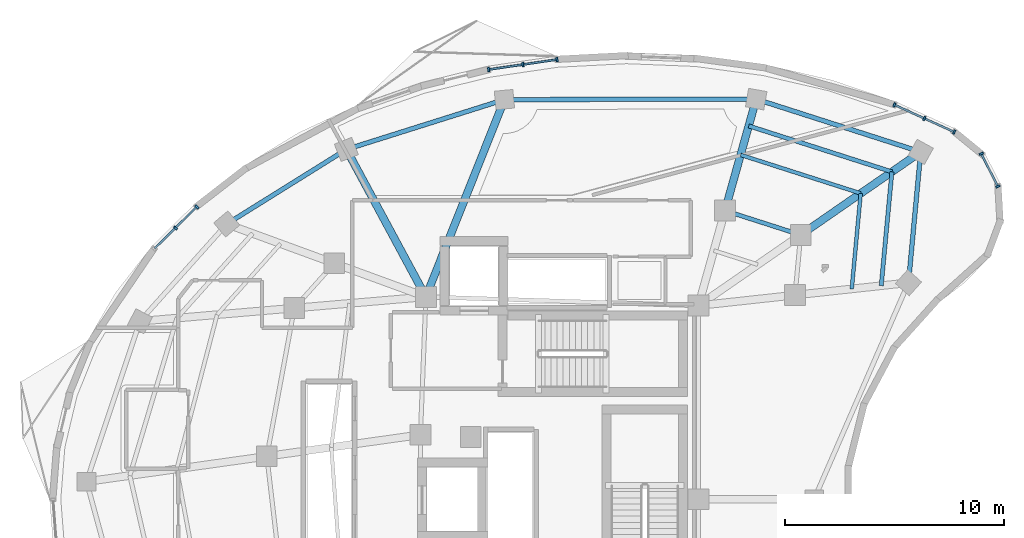
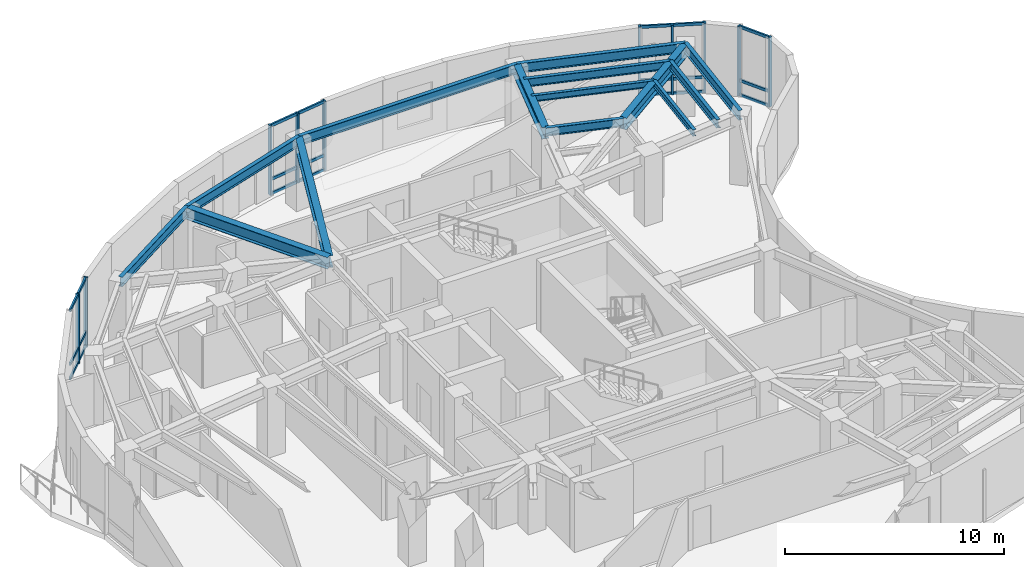
# One storey, part 5 of 13: 31 members, 14 beams, 4 elements without a shape of their own.
"""IFC4 building model written with IfcOpenShell, lengths in metres."""

import ifcopenshell
import ifcopenshell.guid

model = None  # the IFC model being written
_history = None  # IfcOwnerHistory: only IFC2X3 demands one
_inside = {}  # id of a spatial element -> (the spatial element, [elements in it])
_under = {}  # id of a project, library or spatial element -> (it, [spatial elements below it])
_declared = {}  # id of a project -> (the project, [libraries it declares])
_typed = {}  # id of a type object -> (the type object, [elements of that type])
_made_of = {}  # id of a material, layer set ... -> (it, [elements and type objects made of it])


def new_model(schema):
    """Start an empty IFC model of exactly this schema.

    Asked for "IFC4X3", IfcOpenShell would pick the latest addendum, in which some entities
    have other attributes; the version numbers below select the first issue.
    IFC2X3 requires an IfcOwnerHistory on every rooted entity: one is made here for all.
    """
    global model, _history
    if schema == "IFC4X3":
        model = ifcopenshell.file(schema_version=(4, 3, 0, 0))
    else:
        model = ifcopenshell.file(schema=schema)
    _inside.clear()
    _under.clear()
    _declared.clear()
    _typed.clear()
    _made_of.clear()
    _history = None
    if model.schema == "IFC2X3":
        org = make("IfcOrganization", Name="unknown")
        user = make(
            "IfcPersonAndOrganization",
            ThePerson=make("IfcPerson", FamilyName="unknown"),
            TheOrganization=org,
        )
        app = make(
            "IfcApplication",
            ApplicationDeveloper=org,
            Version="unknown",
            ApplicationFullName="unknown",
            ApplicationIdentifier="unknown",
        )
        _history = make(
            "IfcOwnerHistory",
            OwningUser=user,
            OwningApplication=app,
            ChangeAction="ADDED",
            CreationDate=0,
        )
    return model


def make(cls, **values):
    """One entity of the class cls with the attributes given. An attribute that is None is left unset."""
    return model.create_entity(
        cls, **{name: value for name, value in values.items() if value is not None}
    )


def rooted(cls, **values):
    """An entity with a GlobalId (a new one), such as an element, a storey or a relation."""
    return make(cls, GlobalId=ifcopenshell.guid.new(), OwnerHistory=_history, **values)


def si_unit(unit_type, name, prefix=None):
    """IfcSIUnit, for example si_unit("LENGTHUNIT", "METRE", prefix="MILLI")."""
    return make("IfcSIUnit", UnitType=unit_type, Prefix=prefix, Name=name)


def assignment(units):
    """IfcUnitAssignment: the units of a project."""
    return None if units is None else make("IfcUnitAssignment", Units=units)


def point(xyz):
    """IfcCartesianPoint."""
    return None if xyz is None else make("IfcCartesianPoint", Coordinates=xyz)


def direction(xyz):
    """IfcDirection."""
    return None if xyz is None else make("IfcDirection", DirectionRatios=xyz)


def frame(location, z_axis=None, x_axis=None):
    """IfcAxis2Placement3D, a coordinate frame: its origin and axes. An axis left out is left unset."""
    return make(
        "IfcAxis2Placement3D",
        Location=point(location),
        Axis=direction(z_axis),
        RefDirection=direction(x_axis),
    )


def frame_2d(location, x_axis=None):
    """IfcAxis2Placement2D, a coordinate frame in the plane: its origin and x axis."""
    return make(
        "IfcAxis2Placement2D", Location=point(location), RefDirection=direction(x_axis)
    )


def origin():
    """The frame at (0, 0, 0) with its axes left unset."""
    return frame((0.0, 0.0, 0.0))


def origin_2d():
    """The frame at (0, 0) in the plane with its x axis left unset."""
    return frame_2d((0.0, 0.0))


def place(relative_to, where):
    """IfcLocalPlacement: puts the frame where relative to a parent placement (None: the world)."""
    return make(
        "IfcLocalPlacement", PlacementRelTo=relative_to, RelativePlacement=where
    )


def context(
    kind, dimensions, precision=None, world=None, true_north=None, identifier=None
):
    """IfcGeometricRepresentationContext, for example the 3D "Model" context."""
    return make(
        "IfcGeometricRepresentationContext",
        ContextIdentifier=identifier,
        ContextType=kind,
        CoordinateSpaceDimension=dimensions,
        Precision=precision,
        WorldCoordinateSystem=world,
        TrueNorth=true_north,
    )


def subcontext(parent, identifier, kind, view, scale=None):
    """IfcGeometricRepresentationSubContext, for example "Body" below "Model"."""
    return make(
        "IfcGeometricRepresentationSubContext",
        ContextIdentifier=identifier,
        ContextType=kind,
        ParentContext=parent,
        TargetScale=scale,
        TargetView=view,
    )


def project(units=None, contexts=None):
    """IfcProject with its units and contexts."""
    return rooted(
        "IfcProject",
        Name="project",
        RepresentationContexts=contexts,
        UnitsInContext=assignment(units),
    )


def spatial(cls, under=None, at=None, **own):
    """A site, building, storey or space (cls), placed at a placement, below another one or the project."""
    s = rooted(cls, ObjectPlacement=at, **own)
    if under is not None:
        _under.setdefault(under.id(), (under, []))[1].append(s)
    return s


def profile(cls, at=None, kind="AREA", **sizes):
    """A parametric profile (cls). Its sizes go by their IFC names, for example OverallWidth=200.0."""
    return make(cls, ProfileType=kind, Position=at, **sizes)


def rectangle(**sizes):
    """IfcRectangleProfileDef."""
    return profile("IfcRectangleProfileDef", **sizes)


def i_section(**sizes):
    """IfcIShapeProfileDef."""
    return profile("IfcIShapeProfileDef", **sizes)


def extrude(swept, where, along, depth):
    """IfcExtrudedAreaSolid: the profile swept, set in the frame where, extruded along a direction by depth."""
    return make(
        "IfcExtrudedAreaSolid",
        SweptArea=swept,
        Position=where,
        ExtrudedDirection=direction(along),
        Depth=depth,
    )


def shape(context_of_items, identifier, shape_type, items):
    """IfcShapeRepresentation: the items that make up one representation, for example the "Body"."""
    return make(
        "IfcShapeRepresentation",
        ContextOfItems=context_of_items,
        RepresentationIdentifier=identifier,
        RepresentationType=shape_type,
        Items=items,
    )


def material(Name=None, Category=None):
    """IfcMaterial."""
    return make("IfcMaterial", Name=Name, Category=Category)


def layer(
    of_material, thickness, ventilated=None, Name=None, Category=None, Priority=None
):
    """IfcMaterialLayer: one layer of a wall or slab, of a material (None: an air gap)."""
    return make(
        "IfcMaterialLayer",
        Material=of_material,
        LayerThickness=thickness,
        IsVentilated=ventilated,
        Name=Name,
        Category=Category,
        Priority=Priority,
    )


def layer_set(layers, Name=None):
    """IfcMaterialLayerSet."""
    return make("IfcMaterialLayerSet", MaterialLayers=layers, LayerSetName=Name)


def material_profile(
    of_material, cross_section, Name=None, Category=None, Priority=None
):
    """IfcMaterialProfile: a cross section and its material."""
    return make(
        "IfcMaterialProfile",
        Name=Name,
        Material=of_material,
        Profile=cross_section,
        Priority=Priority,
        Category=Category,
    )


def profile_set(profiles, Name=None, composite=None):
    """IfcMaterialProfileSet."""
    return make(
        "IfcMaterialProfileSet",
        Name=Name,
        MaterialProfiles=profiles,
        CompositeProfile=composite,
    )


def made_of(thing, what):
    """Note that an element or type object is made of a material, layer set ...; save() writes the relation."""
    if what is not None:
        _made_of.setdefault(what.id(), (what, []))[1].append(thing)
    return thing


def type_object(cls, material=None, **own):
    """A type object (cls), such as IfcWallType, which elements share."""
    return made_of(rooted(cls, **own), material)


def element(
    cls,
    number,
    at=None,
    inside=None,
    cuts=None,
    type_object=None,
    material=None,
    context=None,
    identifier="Body",
    shape_type=None,
    held_by="IfcProductDefinitionShape",
    body=None,
    shapes=None,
    **own,
):
    """One element of the class cls, such as IfcWall. Its Tag is "e" and its number.

    at: its placement. inside: the storey or other place that contains it. cuts: it is an
    opening in that element (IfcRelVoidsElement). A single representation is given by context,
    identifier, shape_type and body (its items); several are given by shapes. held_by: the class
    of the entity that holds the representations. save() writes the other relations.
    """
    e = rooted(cls, Tag="e%d" % number, ObjectPlacement=at, **own)
    if body is not None:
        shapes = [shape(context, identifier, shape_type, body)]
    if shapes is not None:
        e.Representation = make(held_by, Representations=shapes)
    if inside is not None:
        _inside.setdefault(inside.id(), (inside, []))[1].append(e)
    if cuts is not None:
        rooted(
            "IfcRelVoidsElement", RelatingBuildingElement=cuts, RelatedOpeningElement=e
        )
    if type_object is not None:
        _typed.setdefault(type_object.id(), (type_object, []))[1].append(e)
    return made_of(e, material)


def aggregate(whole, parts):
    """IfcRelAggregates: a whole, such as a stair, and the parts it consists of."""
    return rooted("IfcRelAggregates", RelatingObject=whole, RelatedObjects=parts)


def save(model, path):
    """Write the relations noted so far, then the file.

    IfcRelAggregates (storeys below a building ...), IfcRelContainedInSpatialStructure (elements
    in a storey), IfcRelDefinesByType, IfcRelAssociatesMaterial and IfcRelDeclares: one each for
    every whole, place, type object, material and project.
    """
    for whole, parts in _under.values():
        aggregate(whole, parts)
    for where, things in _inside.values():
        rooted(
            "IfcRelContainedInSpatialStructure",
            RelatedElements=things,
            RelatingStructure=where,
        )
    for kind, things in _typed.values():
        rooted("IfcRelDefinesByType", RelatedObjects=things, RelatingType=kind)
    for what, things in _made_of.values():
        rooted("IfcRelAssociatesMaterial", RelatedObjects=things, RelatingMaterial=what)
    for by, libraries in _declared.values():
        rooted("IfcRelDeclares", RelatingContext=by, RelatedDefinitions=libraries)
    model.write(path)


model = new_model("IFC4")

# Units and contexts
model_context = context("Model", 3, precision=1e-05, world=origin(), true_north=direction((0.0, 1.0)))
body_context = subcontext(model_context, "Body", "Model", "MODEL_VIEW")
ifc_project = project(units=[si_unit("LENGTHUNIT", "METRE"), si_unit("AREAUNIT", "SQUARE_METRE"), si_unit("VOLUMEUNIT", "CUBIC_METRE"), si_unit("PLANEANGLEUNIT", "RADIAN"), si_unit("MASSUNIT", "GRAM", prefix="KILO")], contexts=[model_context])

# Site, building, storey
site_placement = place(None, origin())
site = spatial("IfcSite", under=ifc_project, at=site_placement, CompositionType="ELEMENT")
building_placement = place(site_placement, origin())
building = spatial("IfcBuilding", under=site, at=building_placement, Name="Korentha Bioscience Tower", CompositionType="ELEMENT")
storey_placement = place(building_placement, frame((0.0, 0.0, 273.0)))
storey = spatial("IfcBuildingStorey", under=building, at=storey_placement, Name="L63", CompositionType="ELEMENT", Elevation=273.0)

# Beam
ifc_material_1 = material(Name="Steel S355", Category="steel")
ifc_material_profile_1 = material_profile(ifc_material_1, i_section(OverallWidth=0.18994140625, OverallDepth=0.45703125, WebThickness=0.009033203125, FlangeThickness=0.014404296875, at=origin_2d()), Name="Steel S355")
ifc_profile_set_1 = profile_set([ifc_material_profile_1], Name="Steel S355 (MB-460)")
beam_type_1 = type_object("IfcBeamType", Name="Mid-Ring Tie Girder W460x74", PredefinedType="BEAM", material=ifc_profile_set_1)
beam_1_placement = place(storey_placement, frame((42.2216796875, 39.08056640625, 3.651611328125), z_axis=(-0.952264747125, 0.305273404318, 0.0), x_axis=(-0.305273404318, -0.952264747125, 0.0)))
element("IfcBeam", 1, at=beam_1_placement, inside=storey, type_object=beam_type_1, Name="L63 Mid-Ring Tie Girder 01", PredefinedType="BEAM", context=body_context, shape_type="SweptSolid", body=[
    extrude(i_section(OverallWidth=0.18994140625, OverallDepth=0.45703125, WebThickness=0.009033203125, FlangeThickness=0.014404296875, at=origin_2d()), origin(), (0.0, 0.0, 1.0), 3.630859375),
])

# Curtain wall, members
ifc_material_2 = material(Name="Thermally Broken Aluminium Frame", Category="aluminium")
ifc_layer = layer(ifc_material_2, 0.219970703125, Name="Thermally Broken Aluminium Frame")
ifc_layer_set = layer_set([ifc_layer], Name="Thermally Broken Aluminium Frame (CW-T1)")
curtain_wall_type = type_object("IfcCurtainWallType", Name="Standard Bioscience Lab Unitised Curtain Wall CW-T1", PredefinedType="USERDEFINED", material=ifc_layer_set)
curtain_wall_1_placement = place(storey_placement, origin())
curtain_wall_1 = element("IfcCurtainWall", 2, at=curtain_wall_1_placement, inside=storey, type_object=curtain_wall_type, Name="L63 Curtain Wall 01", ObjectType="UNITISED", PredefinedType="USERDEFINED")
ifc_material_3 = material(Name="Anodised Aluminium 6063-T6", Category="aluminium")
ifc_material_profile_2 = material_profile(ifc_material_3, rectangle(XDim=0.090087890625, YDim=0.199951171875, at=origin_2d()), Name="Anodised Aluminium 6063-T6")
ifc_profile_set_2 = profile_set([ifc_material_profile_2], Name="Anodised Aluminium 6063-T6 (CW-MUL)")
member_type_1 = type_object("IfcMemberType", Name="Mullion RECT 90x200", PredefinedType="MULLION", material=ifc_profile_set_2)
member_1_placement = place(storey_placement, frame((49.239501953125, 43.780517578125, 0.0), z_axis=(0.0, 0.0, 1.0), x_axis=(-0.910604060449, 0.413279862918, 0.0)))
member_1 = element("IfcMember", 3, at=member_1_placement, type_object=member_type_1, Name="CW-L63-01 Mullion 1", PredefinedType="MULLION", context=body_context, shape_type="SweptSolid", body=[
    extrude(rectangle(XDim=0.090087890625, YDim=0.199951171875, at=origin_2d()), origin(), (0.0, 0.0, 1.0), 3.8798828125),
])
member_2_placement = place(storey_placement, frame((47.870361328125, 44.40185546875, 0.0), z_axis=(0.0, 0.0, 1.0), x_axis=(-0.910604060449, 0.413279862918, 0.0)))
member_2 = element("IfcMember", 4, at=member_2_placement, type_object=member_type_1, Name="CW-L63-01 Mullion 2", PredefinedType="MULLION", context=body_context, shape_type="SweptSolid", body=[
    extrude(rectangle(XDim=0.090087890625, YDim=0.199951171875, at=origin_2d()), origin(), (0.0, 0.0, 1.0), 3.8798828125),
])
member_3_placement = place(storey_placement, frame((46.501220703125, 45.023193359375, 0.0), z_axis=(0.0, 0.0, 1.0), x_axis=(-0.910604060449, 0.413279862918, 0.0)))
member_3 = element("IfcMember", 5, at=member_3_placement, type_object=member_type_1, Name="CW-L63-01 Mullion 3", PredefinedType="MULLION", context=body_context, shape_type="SweptSolid", body=[
    extrude(rectangle(XDim=0.090087890625, YDim=0.199951171875, at=origin_2d()), origin(), (0.0, 0.0, 1.0), 3.8798828125),
])

curtain_wall_2_placement = place(storey_placement, origin())
curtain_wall_2 = element("IfcCurtainWall", 6, at=curtain_wall_2_placement, inside=storey, type_object=curtain_wall_type, Name="L63 Curtain Wall 07", ObjectType="UNITISED", PredefinedType="USERDEFINED")
member_4_placement = place(storey_placement, frame((31.091064453125, 47.087890625, 0.0), z_axis=(0.0, 0.0, 1.0), x_axis=(-0.989459665324, -0.144808738328, 0.0)))
member_4 = element("IfcMember", 7, at=member_4_placement, type_object=member_type_1, Name="CW-L63-07 Mullion 1", PredefinedType="MULLION", context=body_context, shape_type="SweptSolid", body=[
    extrude(rectangle(XDim=0.090087890625, YDim=0.199951171875, at=origin_2d()), origin(), (0.0, 0.0, 1.0), 3.8798828125),
])
member_5_placement = place(storey_placement, frame((29.52880859375, 46.859375, 0.0), z_axis=(0.0, 0.0, 1.0), x_axis=(-0.989459665324, -0.144808738328, 0.0)))
member_5 = element("IfcMember", 8, at=member_5_placement, type_object=member_type_1, Name="CW-L63-07 Mullion 2", PredefinedType="MULLION", context=body_context, shape_type="SweptSolid", body=[
    extrude(rectangle(XDim=0.090087890625, YDim=0.199951171875, at=origin_2d()), origin(), (0.0, 0.0, 1.0), 3.8798828125),
])
member_6_placement = place(storey_placement, frame((27.966552734375, 46.630615234375, 0.0), z_axis=(0.0, 0.0, 1.0), x_axis=(-0.989459665324, -0.144808738328, 0.0)))
member_6 = element("IfcMember", 9, at=member_6_placement, type_object=member_type_1, Name="CW-L63-07 Mullion 3", PredefinedType="MULLION", context=body_context, shape_type="SweptSolid", body=[
    extrude(rectangle(XDim=0.090087890625, YDim=0.199951171875, at=origin_2d()), origin(), (0.0, 0.0, 1.0), 3.8798828125),
])

curtain_wall_3_placement = place(storey_placement, origin())
curtain_wall_3 = element("IfcCurtainWall", 10, at=curtain_wall_3_placement, inside=storey, type_object=curtain_wall_type, Name="L63 Curtain Wall 13", ObjectType="UNITISED", PredefinedType="USERDEFINED")
member_7_placement = place(storey_placement, frame((14.6328125, 40.364990234375, 0.0), z_axis=(0.0, 0.0, 1.0), x_axis=(-0.711397700041, -0.702789664392, 0.0)))
member_7 = element("IfcMember", 11, at=member_7_placement, type_object=member_type_1, Name="CW-L63-13 Mullion 1", PredefinedType="MULLION", context=body_context, shape_type="SweptSolid", body=[
    extrude(rectangle(XDim=0.090087890625, YDim=0.199951171875, at=origin_2d()), origin(), (0.0, 0.0, 1.0), 3.8798828125),
])
member_8_placement = place(storey_placement, frame((13.656494140625, 39.400390625, 0.0), z_axis=(0.0, 0.0, 1.0), x_axis=(-0.711397700041, -0.702789664392, 0.0)))
member_8 = element("IfcMember", 12, at=member_8_placement, type_object=member_type_1, Name="CW-L63-13 Mullion 2", PredefinedType="MULLION", context=body_context, shape_type="SweptSolid", body=[
    extrude(rectangle(XDim=0.090087890625, YDim=0.199951171875, at=origin_2d()), origin(), (0.0, 0.0, 1.0), 3.8798828125),
])

curtain_wall_4_placement = place(storey_placement, origin())
curtain_wall_4 = element("IfcCurtainWall", 13, at=curtain_wall_4_placement, inside=storey, type_object=curtain_wall_type, Name="L63 Curtain Wall 61", ObjectType="UNITISED", PredefinedType="USERDEFINED")
member_9_placement = place(storey_placement, frame((51.231201171875, 41.293212890625, 0.0), z_axis=(0.0, 0.0, 1.0), x_axis=(-0.454238686477, 0.890880023184, 0.0)))
member_9 = element("IfcMember", 14, at=member_9_placement, type_object=member_type_1, Name="CW-L63-61 Mullion 1", PredefinedType="MULLION", context=body_context, shape_type="SweptSolid", body=[
    extrude(rectangle(XDim=0.090087890625, YDim=0.199951171875, at=origin_2d()), origin(), (0.0, 0.0, 1.0), 3.8798828125),
])
member_10_placement = place(storey_placement, frame((50.471923828125, 42.782470703125, 0.0), z_axis=(0.0, 0.0, 1.0), x_axis=(-0.454238686477, 0.890880023184, 0.0)))
member_10 = element("IfcMember", 15, at=member_10_placement, type_object=member_type_1, Name="CW-L63-61 Mullion 2", PredefinedType="MULLION", context=body_context, shape_type="SweptSolid", body=[
    extrude(rectangle(XDim=0.090087890625, YDim=0.199951171875, at=origin_2d()), origin(), (0.0, 0.0, 1.0), 3.8798828125),
])

# Beams
ifc_material_profile_3 = material_profile(ifc_material_1, i_section(OverallWidth=0.208984375, OverallDepth=0.532958984375, WebThickness=0.01025390625, FlangeThickness=0.015625, at=origin_2d()), Name="Steel S355")
ifc_profile_set_3 = profile_set([ifc_material_profile_3], Name="Steel S355 (SB-530)")
beam_type_2 = type_object("IfcBeamType", Name="Perimeter Ring Spandrel Girder W530x92", PredefinedType="SPANDREL", material=ifc_profile_set_3)
beam_2_placement = place(storey_placement, frame((47.7060546875, 42.873046875, 3.613525390625), z_axis=(-0.952281827014, 0.305220120468, 0.0), x_axis=(-0.305220120468, -0.952281827014, 0.0)))
element("IfcBeam", 16, at=beam_2_placement, inside=storey, type_object=beam_type_2, Name="L63 Perimeter Spandrel Girder 01", PredefinedType="SPANDREL", context=body_context, shape_type="SweptSolid", body=[
    extrude(i_section(OverallWidth=0.208984375, OverallDepth=0.532958984375, WebThickness=0.01025390625, FlangeThickness=0.015625, at=origin_2d()), origin(), (0.0, 0.0, 1.0), 7.893310546875),
])
beam_3_placement = place(storey_placement, frame((40.189453125, 45.2822265625, 3.613525390625), z_axis=(-0.999998255351, -0.001867965325, 0.0), x_axis=(0.001867965325, -0.999998255351, 0.0)))
element("IfcBeam", 17, at=beam_3_placement, inside=storey, type_object=beam_type_2, Name="L63 Perimeter Spandrel Girder 02", PredefinedType="SPANDREL", context=body_context, shape_type="SweptSolid", body=[
    extrude(i_section(OverallWidth=0.208984375, OverallDepth=0.532958984375, WebThickness=0.01025390625, FlangeThickness=0.015625, at=origin_2d()), origin(), (0.0, 0.0, 1.0), 11.50146484375),
])
beam_4_placement = place(storey_placement, frame((28.68798828125, 45.2607421875, 3.613525390625), z_axis=(-0.953788154386, -0.300479877118, 0.0), x_axis=(0.300479877118, -0.953788154386, 0.0)))
element("IfcBeam", 18, at=beam_4_placement, inside=storey, type_object=beam_type_2, Name="L63 Perimeter Spandrel Girder 03", PredefinedType="SPANDREL", context=body_context, shape_type="SweptSolid", body=[
    extrude(i_section(OverallWidth=0.208984375, OverallDepth=0.532958984375, WebThickness=0.01025390625, FlangeThickness=0.015625, at=origin_2d()), origin(), (0.0, 0.0, 1.0), 7.5693359375),
])
beam_5_placement = place(storey_placement, frame((21.468505859375, 42.986328125, 3.613525390625), z_axis=(-0.848585501162, -0.529058264482, 0.0), x_axis=(0.529058264482, -0.848585501162, 0.0)))
element("IfcBeam", 19, at=beam_5_placement, inside=storey, type_object=beam_type_2, Name="L63 Perimeter Spandrel Girder 04", PredefinedType="SPANDREL", context=body_context, shape_type="SweptSolid", body=[
    extrude(i_section(OverallWidth=0.208984375, OverallDepth=0.532958984375, WebThickness=0.01025390625, FlangeThickness=0.015625, at=origin_2d()), origin(), (0.0, 0.0, 1.0), 6.441162109375),
])
beam_6_placement = place(storey_placement, frame((47.1455078125, 36.8955078125, 3.613525390625), z_axis=(0.093365902602, 0.995631863809, 0.0), x_axis=(-0.995631863809, 0.093365902602, 0.0)))
element("IfcBeam", 20, at=beam_6_placement, inside=storey, type_object=beam_type_2, Name="L63 Perimeter Spandrel Girder 16", PredefinedType="SPANDREL", context=body_context, shape_type="SweptSolid", body=[
    extrude(i_section(OverallWidth=0.208984375, OverallDepth=0.532958984375, WebThickness=0.01025390625, FlangeThickness=0.015625, at=origin_2d()), origin(), (0.0, 0.0, 1.0), 6.003662109375),
])
ifc_material_profile_4 = material_profile(ifc_material_1, i_section(OverallWidth=0.18994140625, OverallDepth=0.45703125, WebThickness=0.009033203125, FlangeThickness=0.014404296875, at=origin_2d()), Name="Steel S355")
ifc_profile_set_4 = profile_set([ifc_material_profile_4], Name="Steel S355 (RB-460)")
beam_type_3 = type_object("IfcBeamType", Name="Radial Laboratory Beam W460x74", PredefinedType="BEAM", material=ifc_profile_set_4)
beam_7_placement = place(storey_placement, frame((46.389892578125, 41.962890625, 3.651611328125), z_axis=(-0.952283347378, 0.305215376917, 0.0), x_axis=(-0.305215376917, -0.952283347378, 0.0)))
element("IfcBeam", 21, at=beam_7_placement, inside=storey, type_object=beam_type_3, Name="L63 Secondary Floor Beam JSTO-01", PredefinedType="BEAM", context=body_context, shape_type="SweptSolid", body=[
    extrude(i_section(OverallWidth=0.18994140625, OverallDepth=0.45703125, WebThickness=0.009033203125, FlangeThickness=0.014404296875, at=origin_2d()), origin(), (0.0, 0.0, 1.0), 6.870361328125),
])
beam_8_placement = place(storey_placement, frame((45.90185546875, 36.760009765625, 3.651611328125), z_axis=(0.093391362324, 0.995629475982, 0.0), x_axis=(-0.995629475982, 0.093391362324, 0.0)))
element("IfcBeam", 22, at=beam_8_placement, inside=storey, type_object=beam_type_3, Name="L63 Secondary Floor Beam JSTO-16", PredefinedType="BEAM", context=body_context, shape_type="SweptSolid", body=[
    extrude(i_section(OverallWidth=0.18994140625, OverallDepth=0.45703125, WebThickness=0.009033203125, FlangeThickness=0.014404296875, at=origin_2d()), origin(), (0.0, 0.0, 1.0), 5.225830078125),
])
ifc_material_profile_5 = material_profile(ifc_material_1, i_section(OverallWidth=0.35009765625, OverallDepth=0.64990234375, WebThickness=0.01611328125, FlangeThickness=0.02490234375, at=origin_2d()), Name="Steel S355")
ifc_profile_set_5 = profile_set([ifc_material_profile_5], Name="Steel S355 (RB-650)")
beam_type_4 = type_object("IfcBeamType", Name="Radial Laboratory Girder CVS 650x208", PredefinedType="BEAM", material=ifc_profile_set_5)
beam_9_placement = place(storey_placement, frame((42.2216796875, 39.08056640625, 3.554931640625), z_axis=(0.822500508627, 0.568764374155, 0.0), x_axis=(-0.568764374155, 0.822500508627, 0.0)))
element("IfcBeam", 23, at=beam_9_placement, inside=storey, type_object=beam_type_4, Name="L63 Outer Radial Girder 01", PredefinedType="BEAM", context=body_context, shape_type="SweptSolid", body=[
    extrude(i_section(OverallWidth=0.35009765625, OverallDepth=0.64990234375, WebThickness=0.01611328125, FlangeThickness=0.02490234375, at=origin_2d()), origin(), (0.0, 0.0, 1.0), 6.66796875),
])
beam_10_placement = place(storey_placement, frame((38.76416015625, 40.18896484375, 3.554931640625), z_axis=(0.26948609841, 0.963004279723, 0.0), x_axis=(-0.963004279723, 0.26948609841, 0.0)))
element("IfcBeam", 24, at=beam_10_placement, inside=storey, type_object=beam_type_4, Name="L63 Outer Radial Girder 02", PredefinedType="BEAM", context=body_context, shape_type="SweptSolid", body=[
    extrude(i_section(OverallWidth=0.35009765625, OverallDepth=0.64990234375, WebThickness=0.01611328125, FlangeThickness=0.02490234375, at=origin_2d()), origin(), (0.0, 0.0, 1.0), 5.288818359375),
])
beam_11_placement = place(storey_placement, frame((25.10009765625, 36.25, 3.554931640625), z_axis=(0.369931961537, 0.929058848423, 0.0), x_axis=(-0.929058848423, 0.369931961537, 0.0)))
element("IfcBeam", 25, at=beam_11_placement, inside=storey, type_object=beam_type_4, Name="L63 Radial Girder 03", PredefinedType="BEAM", context=body_context, shape_type="SweptSolid", body=[
    extrude(i_section(OverallWidth=0.35009765625, OverallDepth=0.64990234375, WebThickness=0.01611328125, FlangeThickness=0.02490234375, at=origin_2d()), origin(), (0.0, 0.0, 1.0), 9.69873046875),
])
beam_12_placement = place(storey_placement, frame((25.10009765625, 36.25, 3.554931640625), z_axis=(-0.474539218542, 0.880234360875, 0.0), x_axis=(-0.880234360875, -0.474539218542, 0.0)))
element("IfcBeam", 26, at=beam_12_placement, inside=storey, type_object=beam_type_4, Name="L63 Radial Girder 04", PredefinedType="BEAM", context=body_context, shape_type="SweptSolid", body=[
    extrude(i_section(OverallWidth=0.35009765625, OverallDepth=0.64990234375, WebThickness=0.01611328125, FlangeThickness=0.02490234375, at=origin_2d()), origin(), (0.0, 0.0, 1.0), 7.65283203125),
])
ifc_material_profile_6 = material_profile(ifc_material_1, i_section(OverallWidth=0.1708984375, OverallDepth=0.35498046875, WebThickness=0.007080078125, FlangeThickness=0.01171875, at=origin_2d()), Name="Steel S355")
ifc_profile_set_6 = profile_set([ifc_material_profile_6], Name="Steel S355 (JB-360)")
beam_type_5 = type_object("IfcBeamType", Name="Secondary Laboratory Joist W360x51", PredefinedType="JOIST", material=ifc_profile_set_6)
beam_13_placement = place(storey_placement, frame((44.9638671875, 40.976806640625, 3.702392578125), z_axis=(-0.95227644606, 0.30523690845, 0.0), x_axis=(-0.30523690845, -0.95227644606, 0.0)))
element("IfcBeam", 27, at=beam_13_placement, inside=storey, type_object=beam_type_5, Name="L63 Secondary Floor Beam JST-01", PredefinedType="JOIST", context=body_context, shape_type="SweptSolid", body=[
    extrude(i_section(OverallWidth=0.1708984375, OverallDepth=0.35498046875, WebThickness=0.007080078125, FlangeThickness=0.01171875, at=origin_2d()), origin(), (0.0, 0.0, 1.0), 5.761962890625),
])
beam_14_placement = place(storey_placement, frame((44.5546875, 36.61328125, 3.702392578125), z_axis=(0.093363142036, 0.995632122678, 0.0), x_axis=(-0.995632122678, 0.093363142036, 0.0)))
element("IfcBeam", 28, at=beam_14_placement, inside=storey, type_object=beam_type_5, Name="L63 Secondary Floor Beam JST-16", PredefinedType="JOIST", context=body_context, shape_type="SweptSolid", body=[
    extrude(i_section(OverallWidth=0.1708984375, OverallDepth=0.35498046875, WebThickness=0.007080078125, FlangeThickness=0.01171875, at=origin_2d()), origin(), (0.0, 0.0, 1.0), 4.382568359375),
])

# Member
ifc_material_profile_7 = material_profile(ifc_material_3, rectangle(XDim=0.090087890625, YDim=0.159912109375, at=origin_2d()), Name="Anodised Aluminium 6063-T6")
ifc_profile_set_7 = profile_set([ifc_material_profile_7], Name="Anodised Aluminium 6063-T6 (CW-TRN)")
member_type_2 = type_object("IfcMemberType", Name="Transom RECT 90x160", PredefinedType="USERDEFINED", material=ifc_profile_set_7)
member_11_placement = place(storey_placement, frame((49.198486328125, 43.799072265625, 0.044921875), z_axis=(-0.910585208958, 0.41332139701, 0.0), x_axis=(-0.41332139701, -0.910585208958, 0.0)))
member_11 = element("IfcMember", 29, at=member_11_placement, type_object=member_type_2, Name="CW-L63-01 Bay 1 Transom 1", ObjectType="TRANSOM", PredefinedType="USERDEFINED", context=body_context, shape_type="SweptSolid", body=[
    extrude(rectangle(XDim=0.090087890625, YDim=0.159912109375, at=origin_2d()), origin(), (0.0, 0.0, 1.0), 1.41357421875),
])

member_12_placement = place(storey_placement, frame((49.198486328125, 43.799072265625, 0.85009765625), z_axis=(-0.910585208958, 0.41332139701, 0.0), x_axis=(-0.41332139701, -0.910585208958, 0.0)))
member_12 = element("IfcMember", 30, at=member_12_placement, type_object=member_type_2, Name="CW-L63-01 Bay 1 Transom 2", ObjectType="TRANSOM", PredefinedType="USERDEFINED", context=body_context, shape_type="SweptSolid", body=[
    extrude(rectangle(XDim=0.090087890625, YDim=0.159912109375, at=origin_2d()), origin(), (0.0, 0.0, 1.0), 1.41357421875),
])

member_13_placement = place(storey_placement, frame((49.198486328125, 43.799072265625, 3.8349609375), z_axis=(-0.910585208958, 0.41332139701, 0.0), x_axis=(-0.41332139701, -0.910585208958, 0.0)))
member_13 = element("IfcMember", 31, at=member_13_placement, type_object=member_type_2, Name="CW-L63-01 Bay 1 Transom 3", ObjectType="TRANSOM", PredefinedType="USERDEFINED", context=body_context, shape_type="SweptSolid", body=[
    extrude(rectangle(XDim=0.090087890625, YDim=0.159912109375, at=origin_2d()), origin(), (0.0, 0.0, 1.0), 1.41357421875),
])

member_14_placement = place(storey_placement, frame((47.829345703125, 44.42041015625, 0.044921875), z_axis=(-0.910585208958, 0.41332139701, 0.0), x_axis=(-0.41332139701, -0.910585208958, 0.0)))
member_14 = element("IfcMember", 32, at=member_14_placement, type_object=member_type_2, Name="CW-L63-01 Bay 2 Transom 1", ObjectType="TRANSOM", PredefinedType="USERDEFINED", context=body_context, shape_type="SweptSolid", body=[
    extrude(rectangle(XDim=0.090087890625, YDim=0.159912109375, at=origin_2d()), origin(), (0.0, 0.0, 1.0), 1.41357421875),
])

member_15_placement = place(storey_placement, frame((47.829345703125, 44.42041015625, 0.85009765625), z_axis=(-0.910585208958, 0.41332139701, 0.0), x_axis=(-0.41332139701, -0.910585208958, 0.0)))
member_15 = element("IfcMember", 33, at=member_15_placement, type_object=member_type_2, Name="CW-L63-01 Bay 2 Transom 2", ObjectType="TRANSOM", PredefinedType="USERDEFINED", context=body_context, shape_type="SweptSolid", body=[
    extrude(rectangle(XDim=0.090087890625, YDim=0.159912109375, at=origin_2d()), origin(), (0.0, 0.0, 1.0), 1.41357421875),
])

member_16_placement = place(storey_placement, frame((47.829345703125, 44.42041015625, 3.8349609375), z_axis=(-0.910585208958, 0.41332139701, 0.0), x_axis=(-0.41332139701, -0.910585208958, 0.0)))
member_16 = element("IfcMember", 34, at=member_16_placement, type_object=member_type_2, Name="CW-L63-01 Bay 2 Transom 3", ObjectType="TRANSOM", PredefinedType="USERDEFINED", context=body_context, shape_type="SweptSolid", body=[
    extrude(rectangle(XDim=0.090087890625, YDim=0.159912109375, at=origin_2d()), origin(), (0.0, 0.0, 1.0), 1.41357421875),
])

aggregate(curtain_wall_1, [member_1, member_2, member_3, member_11, member_12, member_13, member_14, member_15, member_16])

member_17_placement = place(storey_placement, frame((31.04638671875, 47.08154296875, 0.044921875), z_axis=(-0.989461637153, -0.144795264436, 0.0), x_axis=(0.144795264436, -0.989461637153, 0.0)))
member_17 = element("IfcMember", 35, at=member_17_placement, type_object=member_type_2, Name="CW-L63-07 Bay 1 Transom 1", ObjectType="TRANSOM", PredefinedType="USERDEFINED", context=body_context, shape_type="SweptSolid", body=[
    extrude(rectangle(XDim=0.090087890625, YDim=0.159912109375, at=origin_2d()), origin(), (0.0, 0.0, 1.0), 1.48876953125),
])

member_18_placement = place(storey_placement, frame((31.04638671875, 47.08154296875, 0.85009765625), z_axis=(-0.989461637153, -0.144795264436, 0.0), x_axis=(0.144795264436, -0.989461637153, 0.0)))
member_18 = element("IfcMember", 36, at=member_18_placement, type_object=member_type_2, Name="CW-L63-07 Bay 1 Transom 2", ObjectType="TRANSOM", PredefinedType="USERDEFINED", context=body_context, shape_type="SweptSolid", body=[
    extrude(rectangle(XDim=0.090087890625, YDim=0.159912109375, at=origin_2d()), origin(), (0.0, 0.0, 1.0), 1.48876953125),
])

member_19_placement = place(storey_placement, frame((31.04638671875, 47.08154296875, 3.8349609375), z_axis=(-0.989461637153, -0.144795264436, 0.0), x_axis=(0.144795264436, -0.989461637153, 0.0)))
member_19 = element("IfcMember", 37, at=member_19_placement, type_object=member_type_2, Name="CW-L63-07 Bay 1 Transom 3", ObjectType="TRANSOM", PredefinedType="USERDEFINED", context=body_context, shape_type="SweptSolid", body=[
    extrude(rectangle(XDim=0.090087890625, YDim=0.159912109375, at=origin_2d()), origin(), (0.0, 0.0, 1.0), 1.48876953125),
])

member_20_placement = place(storey_placement, frame((29.484130859375, 46.852783203125, 0.044921875), z_axis=(-0.989461637153, -0.144795264436, 0.0), x_axis=(0.144795264436, -0.989461637153, 0.0)))
member_20 = element("IfcMember", 38, at=member_20_placement, type_object=member_type_2, Name="CW-L63-07 Bay 2 Transom 1", ObjectType="TRANSOM", PredefinedType="USERDEFINED", context=body_context, shape_type="SweptSolid", body=[
    extrude(rectangle(XDim=0.090087890625, YDim=0.159912109375, at=origin_2d()), origin(), (0.0, 0.0, 1.0), 1.48876953125),
])

member_21_placement = place(storey_placement, frame((29.484130859375, 46.852783203125, 0.85009765625), z_axis=(-0.989461637153, -0.144795264436, 0.0), x_axis=(0.144795264436, -0.989461637153, 0.0)))
member_21 = element("IfcMember", 39, at=member_21_placement, type_object=member_type_2, Name="CW-L63-07 Bay 2 Transom 2", ObjectType="TRANSOM", PredefinedType="USERDEFINED", context=body_context, shape_type="SweptSolid", body=[
    extrude(rectangle(XDim=0.090087890625, YDim=0.159912109375, at=origin_2d()), origin(), (0.0, 0.0, 1.0), 1.48876953125),
])

member_22_placement = place(storey_placement, frame((29.484130859375, 46.852783203125, 3.8349609375), z_axis=(-0.989461637153, -0.144795264436, 0.0), x_axis=(0.144795264436, -0.989461637153, 0.0)))
member_22 = element("IfcMember", 40, at=member_22_placement, type_object=member_type_2, Name="CW-L63-07 Bay 2 Transom 3", ObjectType="TRANSOM", PredefinedType="USERDEFINED", context=body_context, shape_type="SweptSolid", body=[
    extrude(rectangle(XDim=0.090087890625, YDim=0.159912109375, at=origin_2d()), origin(), (0.0, 0.0, 1.0), 1.48876953125),
])

aggregate(curtain_wall_2, [member_4, member_5, member_6, member_17, member_18, member_19, member_20, member_21, member_22])

member_23_placement = place(storey_placement, frame((14.600830078125, 40.333251953125, 0.044921875), z_axis=(-0.711378065159, -0.702809539214, 0.0), x_axis=(0.702809539214, -0.711378065159, 0.0)))
member_23 = element("IfcMember", 41, at=member_23_placement, type_object=member_type_2, Name="CW-L63-13 Bay 1 Transom 1", ObjectType="TRANSOM", PredefinedType="USERDEFINED", context=body_context, shape_type="SweptSolid", body=[
    extrude(rectangle(XDim=0.090087890625, YDim=0.159912109375, at=origin_2d()), origin(), (0.0, 0.0, 1.0), 1.2822265625),
])

member_24_placement = place(storey_placement, frame((14.600830078125, 40.333251953125, 0.85009765625), z_axis=(-0.711378065159, -0.702809539214, 0.0), x_axis=(0.702809539214, -0.711378065159, 0.0)))
member_24 = element("IfcMember", 42, at=member_24_placement, type_object=member_type_2, Name="CW-L63-13 Bay 1 Transom 2", ObjectType="TRANSOM", PredefinedType="USERDEFINED", context=body_context, shape_type="SweptSolid", body=[
    extrude(rectangle(XDim=0.090087890625, YDim=0.159912109375, at=origin_2d()), origin(), (0.0, 0.0, 1.0), 1.2822265625),
])

member_25_placement = place(storey_placement, frame((14.600830078125, 40.333251953125, 3.8349609375), z_axis=(-0.711378065159, -0.702809539214, 0.0), x_axis=(0.702809539214, -0.711378065159, 0.0)))
member_25 = element("IfcMember", 43, at=member_25_placement, type_object=member_type_2, Name="CW-L63-13 Bay 1 Transom 3", ObjectType="TRANSOM", PredefinedType="USERDEFINED", context=body_context, shape_type="SweptSolid", body=[
    extrude(rectangle(XDim=0.090087890625, YDim=0.159912109375, at=origin_2d()), origin(), (0.0, 0.0, 1.0), 1.2822265625),
])

member_26_placement = place(storey_placement, frame((13.62451171875, 39.368896484375, 0.044921875), z_axis=(-0.711378065159, -0.702809539214, 0.0), x_axis=(0.702809539214, -0.711378065159, 0.0)))
member_26 = element("IfcMember", 44, at=member_26_placement, type_object=member_type_2, Name="CW-L63-13 Bay 2 Transom 1", ObjectType="TRANSOM", PredefinedType="USERDEFINED", context=body_context, shape_type="SweptSolid", body=[
    extrude(rectangle(XDim=0.090087890625, YDim=0.159912109375, at=origin_2d()), origin(), (0.0, 0.0, 1.0), 1.2822265625),
])

member_27_placement = place(storey_placement, frame((13.62451171875, 39.368896484375, 0.85009765625), z_axis=(-0.711378065159, -0.702809539214, 0.0), x_axis=(0.702809539214, -0.711378065159, 0.0)))
member_27 = element("IfcMember", 45, at=member_27_placement, type_object=member_type_2, Name="CW-L63-13 Bay 2 Transom 2", ObjectType="TRANSOM", PredefinedType="USERDEFINED", context=body_context, shape_type="SweptSolid", body=[
    extrude(rectangle(XDim=0.090087890625, YDim=0.159912109375, at=origin_2d()), origin(), (0.0, 0.0, 1.0), 1.2822265625),
])

member_28_placement = place(storey_placement, frame((13.62451171875, 39.368896484375, 3.8349609375), z_axis=(-0.711378065159, -0.702809539214, 0.0), x_axis=(0.702809539214, -0.711378065159, 0.0)))
member_28 = element("IfcMember", 46, at=member_28_placement, type_object=member_type_2, Name="CW-L63-13 Bay 2 Transom 3", ObjectType="TRANSOM", PredefinedType="USERDEFINED", context=body_context, shape_type="SweptSolid", body=[
    extrude(rectangle(XDim=0.090087890625, YDim=0.159912109375, at=origin_2d()), origin(), (0.0, 0.0, 1.0), 1.2822265625),
])

aggregate(curtain_wall_3, [member_7, member_8, member_23, member_24, member_25, member_26, member_27, member_28])

member_29_placement = place(storey_placement, frame((51.210693359375, 41.333251953125, 0.044921875), z_axis=(-0.454177837113, 0.890911046219, 0.0), x_axis=(-0.890911046219, -0.454177837113, 0.0)))
member_29 = element("IfcMember", 47, at=member_29_placement, type_object=member_type_2, Name="CW-L63-61 Bay 1 Transom 1", ObjectType="TRANSOM", PredefinedType="USERDEFINED", context=body_context, shape_type="SweptSolid", body=[
    extrude(rectangle(XDim=0.090087890625, YDim=0.159912109375, at=origin_2d()), origin(), (0.0, 0.0, 1.0), 1.58154296875),
])

member_30_placement = place(storey_placement, frame((51.210693359375, 41.333251953125, 0.85009765625), z_axis=(-0.454177837113, 0.890911046219, 0.0), x_axis=(-0.890911046219, -0.454177837113, 0.0)))
member_30 = element("IfcMember", 48, at=member_30_placement, type_object=member_type_2, Name="CW-L63-61 Bay 1 Transom 2", ObjectType="TRANSOM", PredefinedType="USERDEFINED", context=body_context, shape_type="SweptSolid", body=[
    extrude(rectangle(XDim=0.090087890625, YDim=0.159912109375, at=origin_2d()), origin(), (0.0, 0.0, 1.0), 1.58154296875),
])

member_31_placement = place(storey_placement, frame((51.210693359375, 41.333251953125, 3.8349609375), z_axis=(-0.454177837113, 0.890911046219, 0.0), x_axis=(-0.890911046219, -0.454177837113, 0.0)))
member_31 = element("IfcMember", 49, at=member_31_placement, type_object=member_type_2, Name="CW-L63-61 Bay 1 Transom 3", ObjectType="TRANSOM", PredefinedType="USERDEFINED", context=body_context, shape_type="SweptSolid", body=[
    extrude(rectangle(XDim=0.090087890625, YDim=0.159912109375, at=origin_2d()), origin(), (0.0, 0.0, 1.0), 1.58154296875),
])

aggregate(curtain_wall_4, [member_9, member_10, member_29, member_30, member_31])

save(model, "model.ifc")
